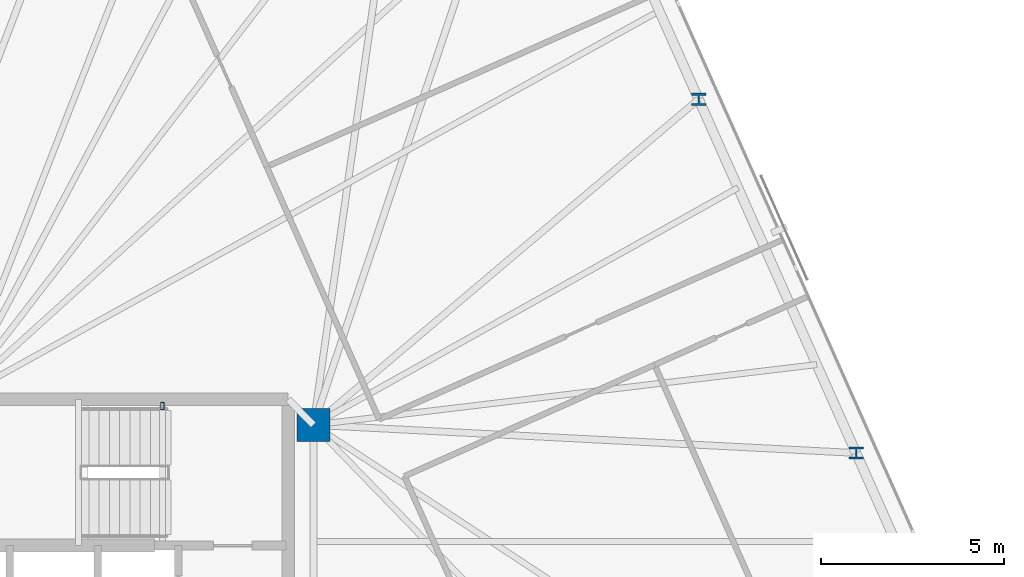
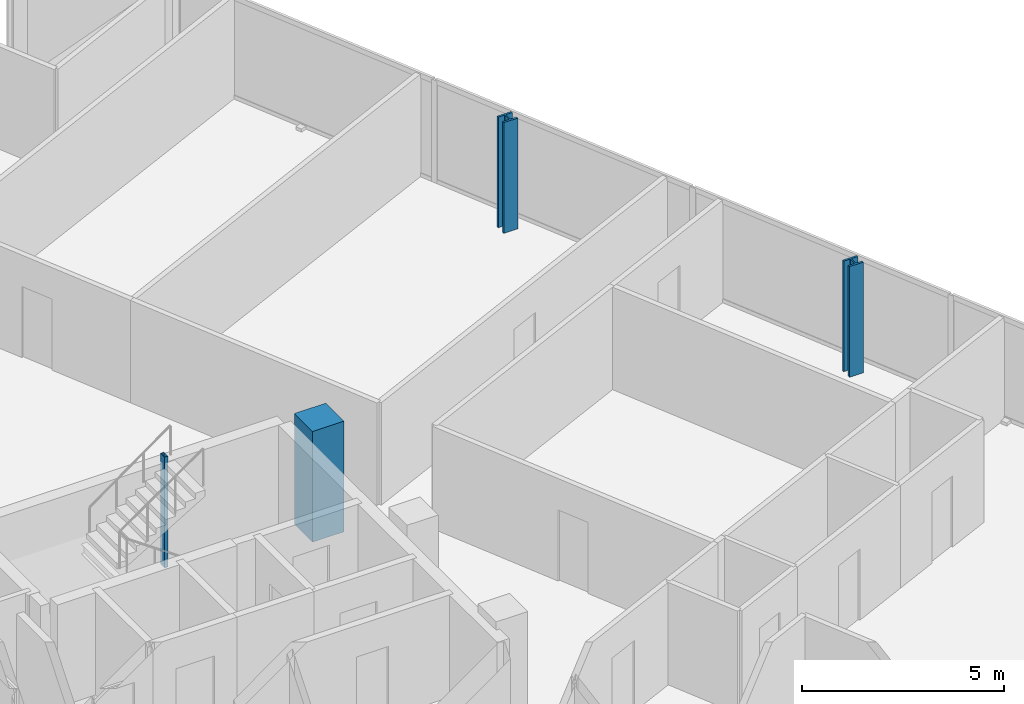
# One storey, part 3 of 18: 4 columns.
"""IFC4 building model written with IfcOpenShell, lengths in metres."""

from ifc_helpers import new_model, si_unit, direction, frame, origin, origin_2d, place, context, subcontext, project, spatial, rectangle, hollow_rectangle, i_section, extrude, material, material_profile, profile_set, type_object, element, save


model = new_model("IFC4")

# Units and contexts
model_context = context("Model", 3, precision=1e-05, world=origin(), true_north=direction((0.0, 1.0)))
body_context = subcontext(model_context, "Body", "Model", "MODEL_VIEW")
ifc_project = project(units=[si_unit("LENGTHUNIT", "METRE"), si_unit("AREAUNIT", "SQUARE_METRE"), si_unit("VOLUMEUNIT", "CUBIC_METRE"), si_unit("PLANEANGLEUNIT", "RADIAN"), si_unit("MASSUNIT", "GRAM", prefix="KILO")], contexts=[model_context])

# Site, building, storey
site_placement = place(None, origin())
site = spatial("IfcSite", under=ifc_project, at=site_placement, CompositionType="ELEMENT")
building_placement = place(site_placement, origin())
building = spatial("IfcBuilding", under=site, at=building_placement, Name="Menara Jurai Vektor", CompositionType="ELEMENT")
storey_placement = place(building_placement, frame((0.0, 0.0, 272.25)))
storey = spatial("IfcBuildingStorey", under=building, at=storey_placement, Name="L73", CompositionType="ELEMENT", Elevation=272.25)

# Columns
ifc_material_1 = material(Name="Concrete C50/60", Category="concrete")
ifc_material_profile_1 = material_profile(ifc_material_1, rectangle(XDim=0.89990234375, YDim=0.89990234375, at=origin_2d()), Name="RC 900x900")
ifc_profile_set_1 = profile_set([ifc_material_profile_1], Name="Concrete C50/60")
column_type_1 = type_object("IfcColumnType", Name="STR-COL-RC900", PredefinedType="COLUMN", material=ifc_profile_set_1)
column_1_placement = place(storey_placement, frame((15.25, 4.89990234375, 0.0), z_axis=(0.0, 0.0, 1.0), x_axis=(1.0, 0.0, 0.0)))
element("IfcColumn", 1, at=column_1_placement, inside=storey, type_object=column_type_1, Name="Core Spine Column CE-NE L73", PredefinedType="COLUMN", context=body_context, shape_type="SweptSolid", body=[
    extrude(rectangle(XDim=0.89990234375, YDim=0.89990234375, at=origin_2d()), origin(), (0.0, 0.0, 1.0), 3.35009765625),
])
ifc_material_2 = material(Name="Steel S355", Category="steel")
ifc_material_profile_2 = material_profile(ifc_material_2, hollow_rectangle(XDim=0.10009765625, YDim=0.199951171875, WallThickness=0.008056640625, at=origin_2d()), Name="RHS 200x100x8")
ifc_profile_set_2 = profile_set([ifc_material_profile_2], Name="Steel S355")
column_type_2 = type_object("IfcColumnType", Name="STR-COL-STAIR", PredefinedType="COLUMN", material=ifc_profile_set_2)
column_2_placement = place(storey_placement, frame((11.1201171875, 5.419921875, 0.0), z_axis=(0.0, 0.0, 1.0), x_axis=(1.0, 0.0, 0.0)))
element("IfcColumn", 2, at=column_2_placement, inside=storey, type_object=column_type_2, Name="Stair Well Header Column ST2-P2 L73", PredefinedType="COLUMN", context=body_context, shape_type="SweptSolid", body=[
    extrude(hollow_rectangle(XDim=0.10009765625, YDim=0.199951171875, WallThickness=0.008056640625, at=origin_2d()), origin(), (0.0, 0.0, 1.0), 3.35009765625),
])
ifc_material_3 = material(Name="Steel S460", Category="steel")
ifc_material_profile_3 = material_profile(ifc_material_3, i_section(OverallWidth=0.40087890625, OverallDepth=0.3349609375, WebThickness=0.035888671875, FlangeThickness=0.05810546875, FilletRadius=0.014892578125, at=origin_2d()), Name="HD 400x463")
ifc_profile_set_3 = profile_set([ifc_material_profile_3], Name="Steel S460")
column_type_3 = type_object("IfcColumnType", Name="STR-EXO-BLK5", PredefinedType="COLUMN", material=ifc_profile_set_3)
for number, where, z_axis, x_axis, name in (
    (3, (30.086181640625, 4.13330078125, 0.0), (0.0, 0.0, 1.0), (1.0, 0.0, 0.0), "Exoskeleton Column BLK5-E2 L73"),
    (4, (25.781005859375, 13.80322265625, 0.0), (0.0, 0.0, 1.0), (1.0, 0.0, 0.0), "Exoskeleton Column BLK5-E3 L73"),
):
    element("IfcColumn", number, at=place(storey_placement, frame(where, z_axis=z_axis, x_axis=x_axis)), inside=storey, type_object=column_type_3, Name=name, PredefinedType="COLUMN", context=body_context, shape_type="SweptSolid", body=[
        extrude(i_section(OverallWidth=0.40087890625, OverallDepth=0.3349609375, WebThickness=0.035888671875, FlangeThickness=0.05810546875, FilletRadius=0.014892578125, at=origin_2d()), origin(), (0.0, 0.0, 1.0), 3.35009765625),
    ])

save(model, "model.ifc")
